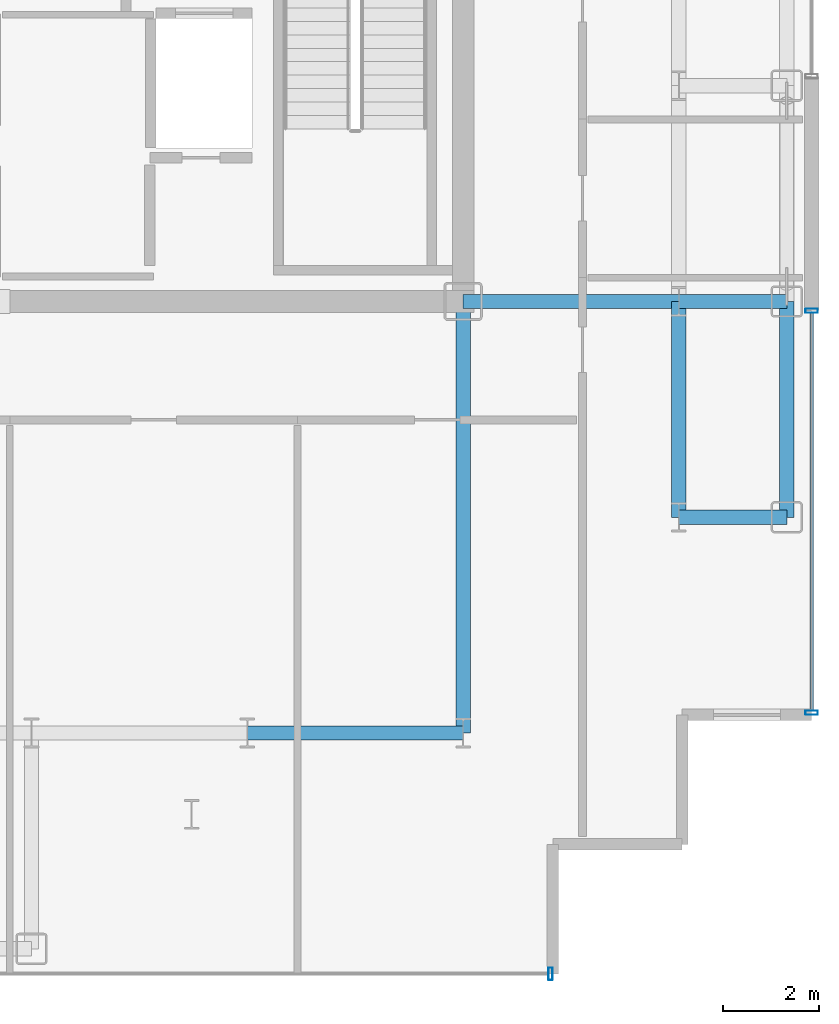
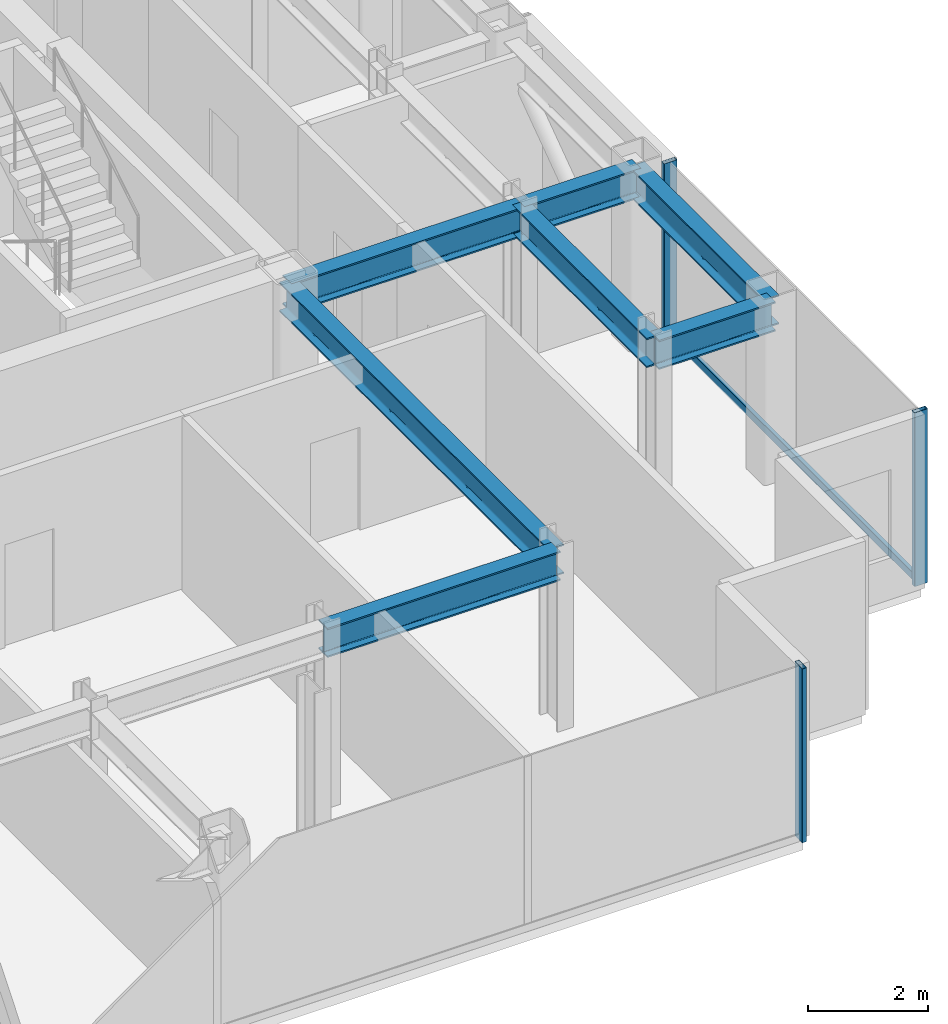
# One storey, part 5 of 16: 7 beams, 4 members, 2 elements without a shape of their own.
"""IFC4 building model written with IfcOpenShell, lengths in metres."""

from ifc_helpers import new_model, si_unit, direction, frame, origin, origin_2d, place, context, subcontext, project, spatial, hollow_rectangle, i_section, extrude, source, transform, mapped, material, layer, layer_set, material_profile, profile_set, type_object, element, aggregate, save


model = new_model("IFC4")

# Units and contexts
model_context = context("Model", 3, precision=1e-05, world=origin(), true_north=direction((0.0, 1.0)))
body_context = subcontext(model_context, "Body", "Model", "MODEL_VIEW")
ifc_project = project(units=[si_unit("LENGTHUNIT", "METRE"), si_unit("AREAUNIT", "SQUARE_METRE"), si_unit("VOLUMEUNIT", "CUBIC_METRE"), si_unit("PLANEANGLEUNIT", "RADIAN"), si_unit("MASSUNIT", "GRAM", prefix="KILO")], contexts=[model_context])

# Site, building, storey
site_placement = place(None, origin())
site = spatial("IfcSite", under=ifc_project, at=site_placement, CompositionType="ELEMENT")
building_placement = place(site_placement, origin())
building = spatial("IfcBuilding", under=site, at=building_placement, Name="Nefas-Gora Pilgrimage Tower", CompositionType="ELEMENT")
storey_placement = place(building_placement, frame((0.0, 0.0, 287.39990234375)))
storey = spatial("IfcBuildingStorey", under=building, at=storey_placement, Name="L72", CompositionType="ELEMENT", Elevation=287.39990234375)

# Beams
ifc_material_1 = material(Name="Steel S355", Category="steel")
ifc_material_profile_1 = material_profile(ifc_material_1, i_section(OverallWidth=0.300048828125, OverallDepth=0.60009765625, WebThickness=0.015380859375, FlangeThickness=0.030029296875, FilletRadius=0.027099609375, at=origin_2d()), Name="HEB 600")
ifc_profile_set_1 = profile_set([ifc_material_profile_1], Name="Steel S355")
beam_type_1 = type_object("IfcBeamType", Name="BM-SPN-HEB450", PredefinedType="SPANDREL", material=ifc_profile_set_1)
shared_shape_1 = source(origin(), body_context, "Body", "SweptSolid", [
    extrude(i_section(OverallWidth=0.300048828125, OverallDepth=0.60009765625, WebThickness=0.015380859375, FlangeThickness=0.030029296875, FilletRadius=0.027099609375, at=origin_2d()), origin(), (0.0, 0.0, 1.0), 4.5),
])
beam_1_placement = place(storey_placement, frame((18.0, -13.5, 3.25), z_axis=(0.0, 1.0, 0.0), x_axis=(-1.0, 0.0, 0.0)))
element("IfcBeam", 1, at=beam_1_placement, inside=storey, type_object=beam_type_1, Name="L72 SP-03 beam", PredefinedType="SPANDREL", context=body_context, shape_type="MappedRepresentation", body=[
    mapped(shared_shape_1, transform((0.0, 0.0, 0.0), x_axis=(1.0, 0.0, 0.0), y_axis=(0.0, 1.0, 0.0), z_axis=(0.0, 0.0, 1.0), scale=1.0)),
])
ifc_material_profile_2 = material_profile(ifc_material_1, i_section(OverallWidth=0.300048828125, OverallDepth=0.60009765625, WebThickness=0.015380859375, FlangeThickness=0.030029296875, FilletRadius=0.027099609375, at=origin_2d()), Name="HEB 600")
ifc_profile_set_2 = profile_set([ifc_material_profile_2], Name="Steel S355")
beam_type_2 = type_object("IfcBeamType", Name="BM-GIR-HEB600", PredefinedType="BEAM", material=ifc_profile_set_2)
shared_shape_2 = source(origin(), body_context, "Body", "SweptSolid", [
    extrude(i_section(OverallWidth=0.300048828125, OverallDepth=0.60009765625, WebThickness=0.015380859375, FlangeThickness=0.030029296875, FilletRadius=0.027099609375, at=origin_2d()), origin(), (0.0, 0.0, 1.0), 9.0),
])
beam_2_placement = place(storey_placement, frame((11.25, -18.0, 3.25), z_axis=(0.0, 1.0, 0.0), x_axis=(-1.0, 0.0, 0.0)))
element("IfcBeam", 2, at=beam_2_placement, inside=storey, type_object=beam_type_2, Name="L72 G-04 beam", PredefinedType="BEAM", context=body_context, shape_type="MappedRepresentation", body=[
    mapped(shared_shape_2, transform((0.0, 0.0, 0.0), x_axis=(1.0, 0.0, 0.0), y_axis=(0.0, 1.0, 0.0), z_axis=(0.0, 0.0, 1.0), scale=1.0)),
])
shared_shape_3 = source(origin(), body_context, "Body", "SweptSolid", [
    extrude(i_section(OverallWidth=0.300048828125, OverallDepth=0.60009765625, WebThickness=0.015380859375, FlangeThickness=0.030029296875, FilletRadius=0.027099609375, at=origin_2d()), origin(), (0.0, 0.0, 1.0), 4.5),
])
for number, where, z_axis, x_axis, name in (
    (3, (6.75, -18.0, 3.25), (1.0, 0.0, 0.0), (0.0, 1.0, 0.0), "L72 G-04 beam"),
    (4, (11.25, -9.0, 3.25), (1.0, 0.0, 0.0), (0.0, 1.0, 0.0), "L72 G-04 beam"),
    (5, (15.75, -13.5, 3.25), (0.0, 1.0, 0.0), (-1.0, 0.0, 0.0), "L72 G-04 beam"),
):
    element("IfcBeam", number, at=place(storey_placement, frame(where, z_axis=z_axis, x_axis=x_axis)), inside=storey, type_object=beam_type_2, Name=name, PredefinedType="BEAM", context=body_context, shape_type="MappedRepresentation", body=[
        mapped(shared_shape_3, transform((0.0, 0.0, 0.0), x_axis=(1.0, 0.0, 0.0), y_axis=(0.0, 1.0, 0.0), z_axis=(0.0, 0.0, 1.0), scale=1.0)),
    ])
shared_shape_4 = source(origin(), body_context, "Body", "SweptSolid", [
    extrude(i_section(OverallWidth=0.300048828125, OverallDepth=0.60009765625, WebThickness=0.015380859375, FlangeThickness=0.030029296875, FilletRadius=0.027099609375, at=origin_2d()), origin(), (0.0, 0.0, 1.0), 2.25),
])
for number, where, z_axis, x_axis, name in (
    (6, (15.75, -13.5, 3.25), (1.0, 0.0, 0.0), (0.0, 1.0, 0.0), "L72 G-04 beam"),
    (7, (15.75, -9.0, 3.25), (1.0, 0.0, 0.0), (0.0, 1.0, 0.0), "L72 G-04 beam"),
):
    element("IfcBeam", number, at=place(storey_placement, frame(where, z_axis=z_axis, x_axis=x_axis)), inside=storey, type_object=beam_type_2, Name=name, PredefinedType="BEAM", context=body_context, shape_type="MappedRepresentation", body=[
        mapped(shared_shape_4, transform((0.0, 0.0, 0.0), x_axis=(1.0, 0.0, 0.0), y_axis=(0.0, 1.0, 0.0), z_axis=(0.0, 0.0, 1.0), scale=1.0)),
    ])

# Curtain wall, members
ifc_material_2 = material(Name="Dark ceramic-fritted solar-control aluminium-glass curtain wall", Category="aluminium")
ifc_layer = layer(ifc_material_2, 0.219970703125)
ifc_layer_set = layer_set([ifc_layer], Name="Dark ceramic-fritted solar-control aluminium-glass curtain wall")
curtain_wall_type = type_object("IfcCurtainWallType", Name="CW-SYS-4", PredefinedType="NOTDEFINED", material=ifc_layer_set)
curtain_wall_1_placement = place(storey_placement, origin())
curtain_wall_1 = element("IfcCurtainWall", 8, at=curtain_wall_1_placement, inside=storey, type_object=curtain_wall_type, Name="L72 Unitised Curtain Wall CW4", PredefinedType="NOTDEFINED")
ifc_material_3 = material(Name="Anodised architectural aluminium", Category="aluminium")
ifc_material_profile_3 = material_profile(ifc_material_3, hollow_rectangle(XDim=0.080078125, YDim=0.159912109375, WallThickness=0.00439453125, InnerFilletRadius=0.00439453125, OuterFilletRadius=0.009033203125, at=origin_2d()), Name="ALU TRANSOM 80x160")
ifc_profile_set_3 = profile_set([ifc_material_profile_3], Name="Anodised architectural aluminium")
member_type_1 = type_object("IfcMemberType", Name="CWM-TRN-4", PredefinedType="USERDEFINED", material=ifc_profile_set_3)
shared_shape_5 = source(origin(), body_context, "Body", "SweptSolid", [
    extrude(hollow_rectangle(XDim=0.080078125, YDim=0.159912109375, WallThickness=0.00439453125, InnerFilletRadius=0.00439453125, OuterFilletRadius=0.009033203125, at=origin_2d()), origin(), (0.0, 0.0, 1.0), 8.2900390625),
])
member_1_placement = place(storey_placement, frame((18.52001953125, -17.530029296875, 0.050048828125), z_axis=(0.0, 1.0, 0.0), x_axis=(-1.0, 0.0, 0.0)))
member_1 = element("IfcMember", 9, at=member_1_placement, type_object=member_type_1, Name="CW4 Spandrel Transom", ObjectType="TRANSOM", PredefinedType="USERDEFINED", context=body_context, shape_type="MappedRepresentation", body=[
    mapped(shared_shape_5, transform((0.0, 0.0, 0.0), x_axis=(1.0, 0.0, 0.0), y_axis=(0.0, 1.0, 0.0), z_axis=(0.0, 0.0, 1.0), scale=1.0)),
])
ifc_material_profile_4 = material_profile(ifc_material_3, hollow_rectangle(XDim=0.090087890625, YDim=0.260009765625, WallThickness=0.006103515625, InnerFilletRadius=0.006103515625, OuterFilletRadius=0.011962890625, at=origin_2d()), Name="ALU MULLION 90x260")
ifc_profile_set_4 = profile_set([ifc_material_profile_4], Name="Anodised architectural aluminium")
member_type_2 = type_object("IfcMemberType", Name="CWM-MUL-4", PredefinedType="MULLION", material=ifc_profile_set_4)
shared_shape_6 = source(origin(), body_context, "Body", "SweptSolid", [
    extrude(hollow_rectangle(XDim=0.090087890625, YDim=0.260009765625, WallThickness=0.006103515625, InnerFilletRadius=0.006103515625, OuterFilletRadius=0.011962890625, at=origin_2d()), origin(), (0.0, 0.0, 1.0), 3.550048828125),
])
member_2_placement = place(storey_placement, frame((18.52001953125, -17.574951171875, 0.0), z_axis=(0.0, 0.0, 1.0), x_axis=(0.0, 1.0, 0.0)))
member_2 = element("IfcMember", 10, at=member_2_placement, type_object=member_type_2, Name="CW4 Mullion 1", PredefinedType="MULLION", context=body_context, shape_type="MappedRepresentation", body=[
    mapped(shared_shape_6, transform((0.0, 0.0, 0.0), x_axis=(1.0, 0.0, 0.0), y_axis=(0.0, 1.0, 0.0), z_axis=(0.0, 0.0, 1.0), scale=1.0)),
])
member_3_placement = place(storey_placement, frame((18.52001953125, -9.195068359375, 0.0), z_axis=(0.0, 0.0, 1.0), x_axis=(0.0, 1.0, 0.0)))
member_3 = element("IfcMember", 11, at=member_3_placement, type_object=member_type_2, Name="CW4 Mullion 2", PredefinedType="MULLION", context=body_context, shape_type="MappedRepresentation", body=[
    mapped(shared_shape_6, transform((0.0, 0.0, 0.0), x_axis=(1.0, 0.0, 0.0), y_axis=(0.0, 1.0, 0.0), z_axis=(0.0, 0.0, 1.0), scale=1.0)),
])
aggregate(curtain_wall_1, [member_2, member_3, member_1])

# Curtain wall, member
curtain_wall_2_placement = place(storey_placement, origin())
curtain_wall_2 = element("IfcCurtainWall", 12, at=curtain_wall_2_placement, inside=storey, type_object=curtain_wall_type, Name="L72 Unitised Curtain Wall CW4", PredefinedType="NOTDEFINED")
member_4_placement = place(storey_placement, frame((13.074951171875, -23.02001953125, 0.0), z_axis=(0.0, 0.0, 1.0), x_axis=(1.0, 0.0, 0.0)))
member_4 = element("IfcMember", 13, at=member_4_placement, type_object=member_type_2, Name="CW4 Mullion 2", PredefinedType="MULLION", context=body_context, shape_type="MappedRepresentation", body=[
    mapped(shared_shape_6, transform((0.0, 0.0, 0.0), x_axis=(1.0, 0.0, 0.0), y_axis=(0.0, 1.0, 0.0), z_axis=(0.0, 0.0, 1.0), scale=1.0)),
])
aggregate(curtain_wall_2, [member_4])

save(model, "model.ifc")
